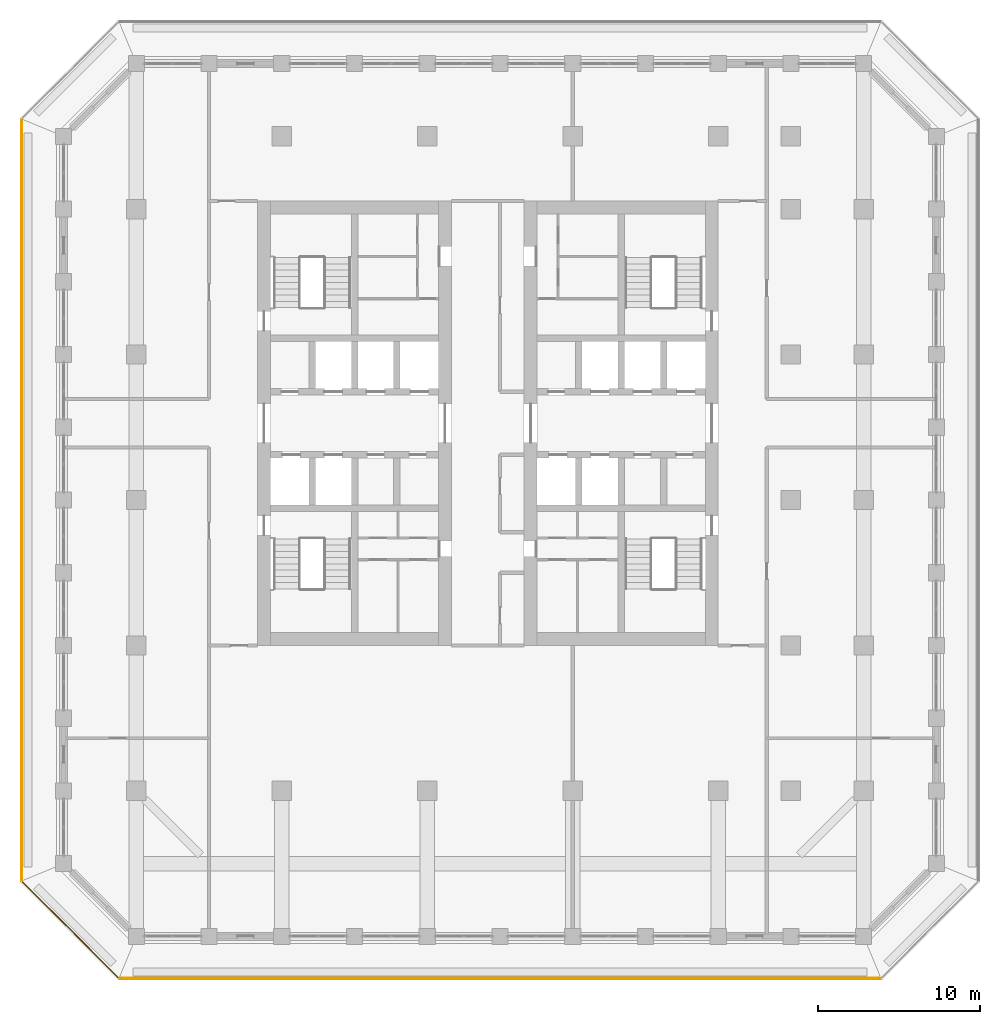
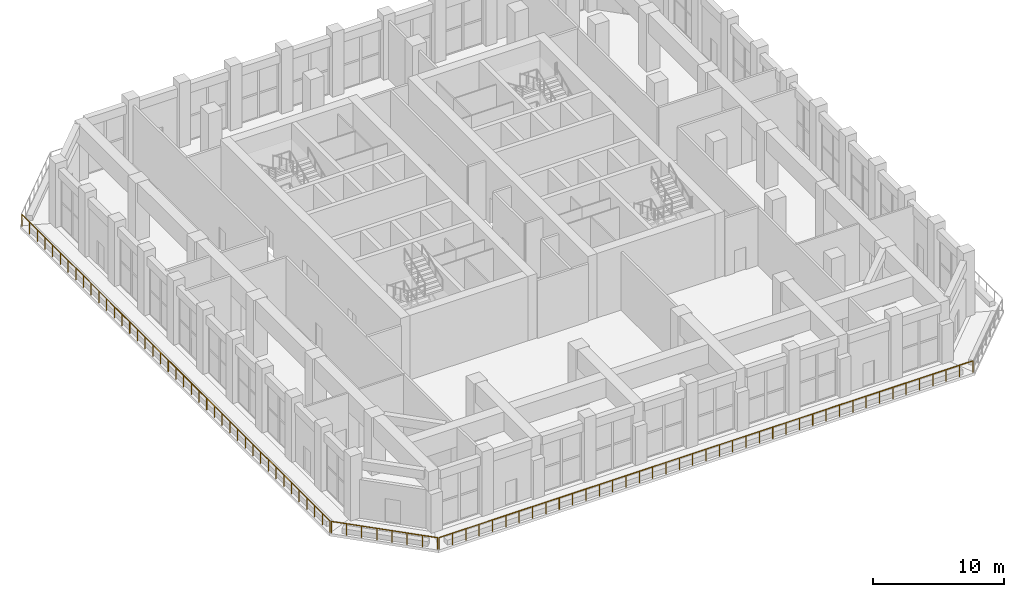
# One storey, part 18 of 25: 3 railings.
"""IFC4 building model written with IfcOpenShell, lengths in metres."""

from ifc_helpers import new_model, si_unit, direction, frame, origin, origin_2d, place, context, subcontext, project, spatial, circle, extrude, material, type_object, element, save


model = new_model("IFC4")

# Units and contexts
model_context = context("Model", 3, precision=1e-05, world=origin(), true_north=direction((0.0, 1.0)))
body_context = subcontext(model_context, "Body", "Model", "MODEL_VIEW")
ifc_project = project(units=[si_unit("LENGTHUNIT", "METRE"), si_unit("AREAUNIT", "SQUARE_METRE"), si_unit("VOLUMEUNIT", "CUBIC_METRE"), si_unit("PLANEANGLEUNIT", "RADIAN"), si_unit("MASSUNIT", "GRAM", prefix="KILO")], contexts=[model_context])

# Site, building, storey
site_placement = place(None, origin())
site = spatial("IfcSite", under=ifc_project, at=site_placement, CompositionType="ELEMENT")
building_placement = place(site_placement, origin())
building = spatial("IfcBuilding", under=site, at=building_placement, Name="Corbel Stack Research Tower", CompositionType="ELEMENT")
storey_placement = place(building_placement, frame((0.0, 0.0, 220.199951171875)))
storey = spatial("IfcBuildingStorey", under=building, at=storey_placement, Name="L50", CompositionType="ELEMENT", Elevation=220.199951171875)

# Railings
ifc_material = material(Name="Powder-coated steel guard", Category="steel")
railing_type = type_object("IfcRailingType", Name="Steel and glass guard 1100", PredefinedType="GUARDRAIL", material=ifc_material)
railing_1_placement = place(storey_placement, frame((-19.00537109375, -29.60009765625, 0.0)))
element("IfcRailing", 1, at=railing_1_placement, inside=storey, type_object=railing_type, Name="Loggia guard L50 S", PredefinedType="GUARDRAIL", context=body_context, shape_type="SweptSolid", body=[
    extrude(circle(Radius=0.02392578125, at=origin_2d()), frame((0.0, 0.0, 1.076171875), z_axis=(1.0, 0.0, 0.0), x_axis=(0.0, 1.0, 0.0)), (0.0, 0.0, 1.0), 47.0107421875),
    extrude(circle(Radius=0.02099609375, at=origin_2d()), origin(), (0.0, 0.0, 1.0), 1.052001953125),
    extrude(circle(Radius=0.02099609375, at=origin_2d()), frame((1.17529296875, 0.0, 0.0)), (0.0, 0.0, 1.0), 1.052001953125),
    extrude(circle(Radius=0.02099609375, at=origin_2d()), frame((2.3505859375, 0.0, 0.0)), (0.0, 0.0, 1.0), 1.052001953125),
    extrude(circle(Radius=0.02099609375, at=origin_2d()), frame((3.52587890625, 0.0, 0.0)), (0.0, 0.0, 1.0), 1.052001953125),
    extrude(circle(Radius=0.02099609375, at=origin_2d()), frame((4.701171875, 0.0, 0.0)), (0.0, 0.0, 1.0), 1.052001953125),
    extrude(circle(Radius=0.02099609375, at=origin_2d()), frame((5.87646484375, 0.0, 0.0)), (0.0, 0.0, 1.0), 1.052001953125),
    extrude(circle(Radius=0.02099609375, at=origin_2d()), frame((7.051513671875, 0.0, 0.0)), (0.0, 0.0, 1.0), 1.052001953125),
    extrude(circle(Radius=0.02099609375, at=origin_2d()), frame((8.226806640625, 0.0, 0.0)), (0.0, 0.0, 1.0), 1.052001953125),
    extrude(circle(Radius=0.02099609375, at=origin_2d()), frame((9.402099609375, 0.0, 0.0)), (0.0, 0.0, 1.0), 1.052001953125),
    extrude(circle(Radius=0.02099609375, at=origin_2d()), frame((10.577392578125, 0.0, 0.0)), (0.0, 0.0, 1.0), 1.052001953125),
    extrude(circle(Radius=0.02099609375, at=origin_2d()), frame((11.752685546875, 0.0, 0.0)), (0.0, 0.0, 1.0), 1.052001953125),
    extrude(circle(Radius=0.02099609375, at=origin_2d()), frame((12.927978515625, 0.0, 0.0)), (0.0, 0.0, 1.0), 1.052001953125),
    extrude(circle(Radius=0.02099609375, at=origin_2d()), frame((14.103271484375, 0.0, 0.0)), (0.0, 0.0, 1.0), 1.052001953125),
    extrude(circle(Radius=0.02099609375, at=origin_2d()), frame((15.278564453125, 0.0, 0.0)), (0.0, 0.0, 1.0), 1.052001953125),
    extrude(circle(Radius=0.02099609375, at=origin_2d()), frame((16.453857421875, 0.0, 0.0)), (0.0, 0.0, 1.0), 1.052001953125),
    extrude(circle(Radius=0.02099609375, at=origin_2d()), frame((17.62890625, 0.0, 0.0)), (0.0, 0.0, 1.0), 1.052001953125),
    extrude(circle(Radius=0.02099609375, at=origin_2d()), frame((18.80419921875, 0.0, 0.0)), (0.0, 0.0, 1.0), 1.052001953125),
    extrude(circle(Radius=0.02099609375, at=origin_2d()), frame((19.9794921875, 0.0, 0.0)), (0.0, 0.0, 1.0), 1.052001953125),
    extrude(circle(Radius=0.02099609375, at=origin_2d()), frame((21.15478515625, 0.0, 0.0)), (0.0, 0.0, 1.0), 1.052001953125),
    extrude(circle(Radius=0.02099609375, at=origin_2d()), frame((22.330078125, 0.0, 0.0)), (0.0, 0.0, 1.0), 1.052001953125),
    extrude(circle(Radius=0.02099609375, at=origin_2d()), frame((23.50537109375, 0.0, 0.0)), (0.0, 0.0, 1.0), 1.052001953125),
    extrude(circle(Radius=0.02099609375, at=origin_2d()), frame((24.6806640625, 0.0, 0.0)), (0.0, 0.0, 1.0), 1.052001953125),
    extrude(circle(Radius=0.02099609375, at=origin_2d()), frame((25.85595703125, 0.0, 0.0)), (0.0, 0.0, 1.0), 1.052001953125),
    extrude(circle(Radius=0.02099609375, at=origin_2d()), frame((27.03125, 0.0, 0.0)), (0.0, 0.0, 1.0), 1.052001953125),
    extrude(circle(Radius=0.02099609375, at=origin_2d()), frame((28.20654296875, 0.0, 0.0)), (0.0, 0.0, 1.0), 1.052001953125),
    extrude(circle(Radius=0.02099609375, at=origin_2d()), frame((29.3818359375, 0.0, 0.0)), (0.0, 0.0, 1.0), 1.052001953125),
    extrude(circle(Radius=0.02099609375, at=origin_2d()), frame((30.556884765625, 0.0, 0.0)), (0.0, 0.0, 1.0), 1.052001953125),
    extrude(circle(Radius=0.02099609375, at=origin_2d()), frame((31.732177734375, 0.0, 0.0)), (0.0, 0.0, 1.0), 1.052001953125),
    extrude(circle(Radius=0.02099609375, at=origin_2d()), frame((32.907470703125, 0.0, 0.0)), (0.0, 0.0, 1.0), 1.052001953125),
    extrude(circle(Radius=0.02099609375, at=origin_2d()), frame((34.082763671875, 0.0, 0.0)), (0.0, 0.0, 1.0), 1.052001953125),
    extrude(circle(Radius=0.02099609375, at=origin_2d()), frame((35.258056640625, 0.0, 0.0)), (0.0, 0.0, 1.0), 1.052001953125),
    extrude(circle(Radius=0.02099609375, at=origin_2d()), frame((36.433349609375, 0.0, 0.0)), (0.0, 0.0, 1.0), 1.052001953125),
    extrude(circle(Radius=0.02099609375, at=origin_2d()), frame((37.608642578125, 0.0, 0.0)), (0.0, 0.0, 1.0), 1.052001953125),
    extrude(circle(Radius=0.02099609375, at=origin_2d()), frame((38.783935546875, 0.0, 0.0)), (0.0, 0.0, 1.0), 1.052001953125),
    extrude(circle(Radius=0.02099609375, at=origin_2d()), frame((39.959228515625, 0.0, 0.0)), (0.0, 0.0, 1.0), 1.052001953125),
    extrude(circle(Radius=0.02099609375, at=origin_2d()), frame((41.13427734375, 0.0, 0.0)), (0.0, 0.0, 1.0), 1.052001953125),
    extrude(circle(Radius=0.02099609375, at=origin_2d()), frame((42.3095703125, 0.0, 0.0)), (0.0, 0.0, 1.0), 1.052001953125),
    extrude(circle(Radius=0.02099609375, at=origin_2d()), frame((43.48486328125, 0.0, 0.0)), (0.0, 0.0, 1.0), 1.052001953125),
    extrude(circle(Radius=0.02099609375, at=origin_2d()), frame((44.66015625, 0.0, 0.0)), (0.0, 0.0, 1.0), 1.052001953125),
    extrude(circle(Radius=0.02099609375, at=origin_2d()), frame((45.83544921875, 0.0, 0.0)), (0.0, 0.0, 1.0), 1.052001953125),
    extrude(circle(Radius=0.02099609375, at=origin_2d()), frame((47.0107421875, 0.0, 0.0)), (0.0, 0.0, 1.0), 1.052001953125),
])
railing_2_placement = place(storey_placement, frame((-25.10009765625, 23.50537109375, 0.0)))
element("IfcRailing", 2, at=railing_2_placement, inside=storey, type_object=railing_type, Name="Loggia guard L50 W", PredefinedType="GUARDRAIL", context=body_context, shape_type="SweptSolid", body=[
    extrude(circle(Radius=0.02392578125, at=origin_2d()), frame((0.0, 0.0, 1.076171875), z_axis=(0.0, -1.0, 0.0), x_axis=(1.0, 0.0, 0.0)), (0.0, 0.0, 1.0), 47.0107421875),
    extrude(circle(Radius=0.02099609375, at=origin_2d()), origin(), (0.0, 0.0, 1.0), 1.052001953125),
    extrude(circle(Radius=0.02099609375, at=origin_2d()), frame((0.0, -1.17529296875, 0.0)), (0.0, 0.0, 1.0), 1.052001953125),
    extrude(circle(Radius=0.02099609375, at=origin_2d()), frame((0.0, -2.3505859375, 0.0)), (0.0, 0.0, 1.0), 1.052001953125),
    extrude(circle(Radius=0.02099609375, at=origin_2d()), frame((0.0, -3.52587890625, 0.0)), (0.0, 0.0, 1.0), 1.052001953125),
    extrude(circle(Radius=0.02099609375, at=origin_2d()), frame((0.0, -4.701171875, 0.0)), (0.0, 0.0, 1.0), 1.052001953125),
    extrude(circle(Radius=0.02099609375, at=origin_2d()), frame((0.0, -5.87646484375, 0.0)), (0.0, 0.0, 1.0), 1.052001953125),
    extrude(circle(Radius=0.02099609375, at=origin_2d()), frame((0.0, -7.051513671875, 0.0)), (0.0, 0.0, 1.0), 1.052001953125),
    extrude(circle(Radius=0.02099609375, at=origin_2d()), frame((0.0, -8.226806640625, 0.0)), (0.0, 0.0, 1.0), 1.052001953125),
    extrude(circle(Radius=0.02099609375, at=origin_2d()), frame((0.0, -9.402099609375, 0.0)), (0.0, 0.0, 1.0), 1.052001953125),
    extrude(circle(Radius=0.02099609375, at=origin_2d()), frame((0.0, -10.577392578125, 0.0)), (0.0, 0.0, 1.0), 1.052001953125),
    extrude(circle(Radius=0.02099609375, at=origin_2d()), frame((0.0, -11.752685546875, 0.0)), (0.0, 0.0, 1.0), 1.052001953125),
    extrude(circle(Radius=0.02099609375, at=origin_2d()), frame((0.0, -12.927978515625, 0.0)), (0.0, 0.0, 1.0), 1.052001953125),
    extrude(circle(Radius=0.02099609375, at=origin_2d()), frame((0.0, -14.103271484375, 0.0)), (0.0, 0.0, 1.0), 1.052001953125),
    extrude(circle(Radius=0.02099609375, at=origin_2d()), frame((0.0, -15.278564453125, 0.0)), (0.0, 0.0, 1.0), 1.052001953125),
    extrude(circle(Radius=0.02099609375, at=origin_2d()), frame((0.0, -16.453857421875, 0.0)), (0.0, 0.0, 1.0), 1.052001953125),
    extrude(circle(Radius=0.02099609375, at=origin_2d()), frame((0.0, -17.62890625, 0.0)), (0.0, 0.0, 1.0), 1.052001953125),
    extrude(circle(Radius=0.02099609375, at=origin_2d()), frame((0.0, -18.80419921875, 0.0)), (0.0, 0.0, 1.0), 1.052001953125),
    extrude(circle(Radius=0.02099609375, at=origin_2d()), frame((0.0, -19.9794921875, 0.0)), (0.0, 0.0, 1.0), 1.052001953125),
    extrude(circle(Radius=0.02099609375, at=origin_2d()), frame((0.0, -21.15478515625, 0.0)), (0.0, 0.0, 1.0), 1.052001953125),
    extrude(circle(Radius=0.02099609375, at=origin_2d()), frame((0.0, -22.330078125, 0.0)), (0.0, 0.0, 1.0), 1.052001953125),
    extrude(circle(Radius=0.02099609375, at=origin_2d()), frame((0.0, -23.50537109375, 0.0)), (0.0, 0.0, 1.0), 1.052001953125),
    extrude(circle(Radius=0.02099609375, at=origin_2d()), frame((0.0, -24.6806640625, 0.0)), (0.0, 0.0, 1.0), 1.052001953125),
    extrude(circle(Radius=0.02099609375, at=origin_2d()), frame((0.0, -25.85595703125, 0.0)), (0.0, 0.0, 1.0), 1.052001953125),
    extrude(circle(Radius=0.02099609375, at=origin_2d()), frame((0.0, -27.03125, 0.0)), (0.0, 0.0, 1.0), 1.052001953125),
    extrude(circle(Radius=0.02099609375, at=origin_2d()), frame((0.0, -28.20654296875, 0.0)), (0.0, 0.0, 1.0), 1.052001953125),
    extrude(circle(Radius=0.02099609375, at=origin_2d()), frame((0.0, -29.3818359375, 0.0)), (0.0, 0.0, 1.0), 1.052001953125),
    extrude(circle(Radius=0.02099609375, at=origin_2d()), frame((0.0, -30.556884765625, 0.0)), (0.0, 0.0, 1.0), 1.052001953125),
    extrude(circle(Radius=0.02099609375, at=origin_2d()), frame((0.0, -31.732177734375, 0.0)), (0.0, 0.0, 1.0), 1.052001953125),
    extrude(circle(Radius=0.02099609375, at=origin_2d()), frame((0.0, -32.907470703125, 0.0)), (0.0, 0.0, 1.0), 1.052001953125),
    extrude(circle(Radius=0.02099609375, at=origin_2d()), frame((0.0, -34.082763671875, 0.0)), (0.0, 0.0, 1.0), 1.052001953125),
    extrude(circle(Radius=0.02099609375, at=origin_2d()), frame((0.0, -35.258056640625, 0.0)), (0.0, 0.0, 1.0), 1.052001953125),
    extrude(circle(Radius=0.02099609375, at=origin_2d()), frame((0.0, -36.433349609375, 0.0)), (0.0, 0.0, 1.0), 1.052001953125),
    extrude(circle(Radius=0.02099609375, at=origin_2d()), frame((0.0, -37.608642578125, 0.0)), (0.0, 0.0, 1.0), 1.052001953125),
    extrude(circle(Radius=0.02099609375, at=origin_2d()), frame((0.0, -38.783935546875, 0.0)), (0.0, 0.0, 1.0), 1.052001953125),
    extrude(circle(Radius=0.02099609375, at=origin_2d()), frame((0.0, -39.959228515625, 0.0)), (0.0, 0.0, 1.0), 1.052001953125),
    extrude(circle(Radius=0.02099609375, at=origin_2d()), frame((0.0, -41.13427734375, 0.0)), (0.0, 0.0, 1.0), 1.052001953125),
    extrude(circle(Radius=0.02099609375, at=origin_2d()), frame((0.0, -42.3095703125, 0.0)), (0.0, 0.0, 1.0), 1.052001953125),
    extrude(circle(Radius=0.02099609375, at=origin_2d()), frame((0.0, -43.48486328125, 0.0)), (0.0, 0.0, 1.0), 1.052001953125),
    extrude(circle(Radius=0.02099609375, at=origin_2d()), frame((0.0, -44.66015625, 0.0)), (0.0, 0.0, 1.0), 1.052001953125),
    extrude(circle(Radius=0.02099609375, at=origin_2d()), frame((0.0, -45.83544921875, 0.0)), (0.0, 0.0, 1.0), 1.052001953125),
    extrude(circle(Radius=0.02099609375, at=origin_2d()), frame((0.0, -47.0107421875, 0.0)), (0.0, 0.0, 1.0), 1.052001953125),
])
railing_3_placement = place(storey_placement, frame((-25.04931640625, -23.627685546875, 0.0)))
element("IfcRailing", 3, at=railing_3_placement, inside=storey, type_object=railing_type, Name="Loggia guard L50 SW", PredefinedType="GUARDRAIL", context=body_context, shape_type="SweptSolid", body=[
    extrude(circle(Radius=0.02392578125, at=origin_2d()), frame((0.0, 0.0, 1.076171875), z_axis=(0.707106781187, -0.707106781187, 0.0), x_axis=(0.707106781187, 0.707106781187, 0.0)), (0.0, 0.0, 1.0), 8.37451171875),
    extrude(circle(Radius=0.02099609375, at=origin_2d()), origin(), (0.0, 0.0, 1.0), 1.052001953125),
    extrude(circle(Radius=0.02099609375, at=origin_2d()), frame((0.845947265625, -0.845947265625, 0.0)), (0.0, 0.0, 1.0), 1.052001953125),
    extrude(circle(Radius=0.02099609375, at=origin_2d()), frame((1.69189453125, -1.69189453125, 0.0)), (0.0, 0.0, 1.0), 1.052001953125),
    extrude(circle(Radius=0.02099609375, at=origin_2d()), frame((2.537841796875, -2.537841796875, 0.0)), (0.0, 0.0, 1.0), 1.052001953125),
    extrude(circle(Radius=0.02099609375, at=origin_2d()), frame((3.3837890625, -3.3837890625, 0.0)), (0.0, 0.0, 1.0), 1.052001953125),
    extrude(circle(Radius=0.02099609375, at=origin_2d()), frame((4.229736328125, -4.229736328125, 0.0)), (0.0, 0.0, 1.0), 1.052001953125),
    extrude(circle(Radius=0.02099609375, at=origin_2d()), frame((5.07568359375, -5.07568359375, 0.0)), (0.0, 0.0, 1.0), 1.052001953125),
    extrude(circle(Radius=0.02099609375, at=origin_2d()), frame((5.921630859375, -5.921630859375, 0.0)), (0.0, 0.0, 1.0), 1.052001953125),
])

save(model, "model.ifc")
